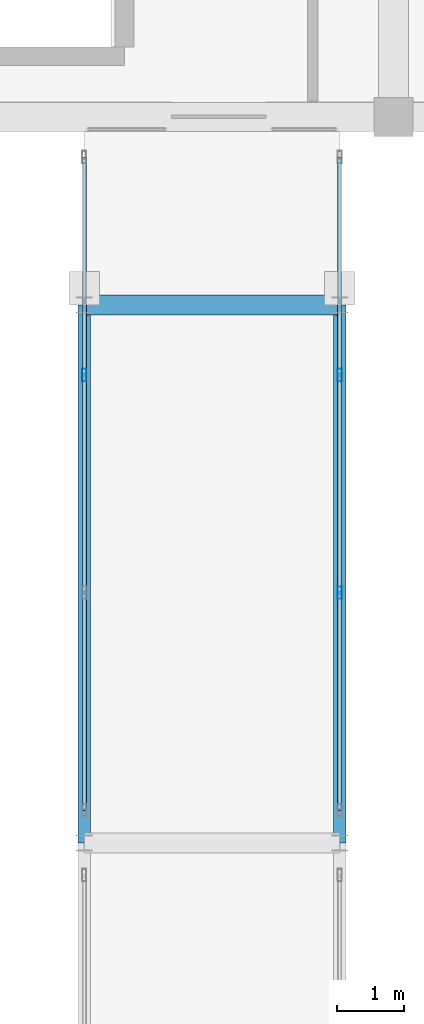
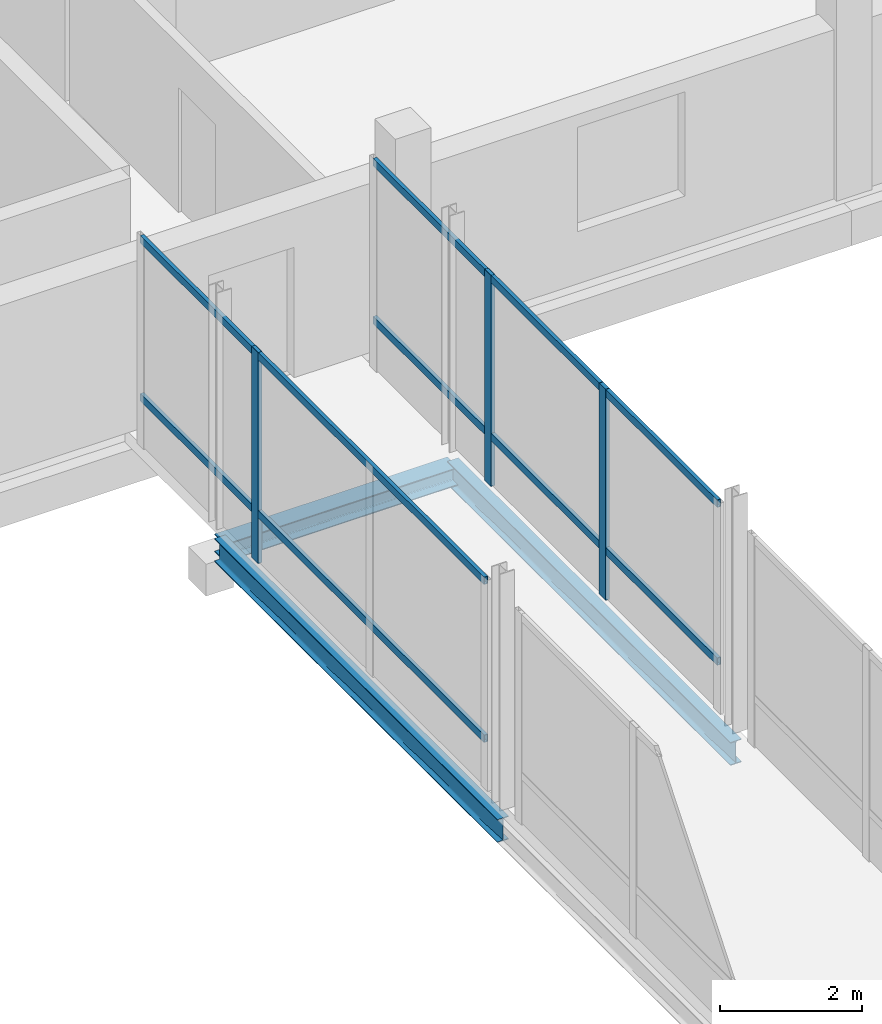
# One storey, part 58 of 128: 7 members, 3 beams, 2 elements without a shape of their own.
"""IFC4 building model written with IfcOpenShell, lengths in metres."""

from ifc_helpers import new_model, si_unit, direction, frame, origin, origin_2d, place, context, subcontext, project, spatial, hollow_rectangle, i_section, extrude, material, material_profile, profile_set, type_object, element, aggregate, save


model = new_model("IFC4")

# Units and contexts
model_context = context("Model", 3, precision=1e-05, world=origin(), true_north=direction((0.0, 1.0)))
body_context = subcontext(model_context, "Body", "Model", "MODEL_VIEW")
ifc_project = project(units=[si_unit("LENGTHUNIT", "METRE"), si_unit("AREAUNIT", "SQUARE_METRE"), si_unit("VOLUMEUNIT", "CUBIC_METRE"), si_unit("PLANEANGLEUNIT", "RADIAN"), si_unit("MASSUNIT", "GRAM", prefix="KILO")], contexts=[model_context])

# Site, building, storey
site_placement = place(None, origin())
site = spatial("IfcSite", under=ifc_project, at=site_placement, CompositionType="ELEMENT")
building_placement = place(site_placement, origin())
building = spatial("IfcBuilding", under=site, at=building_placement, Name="Zornivar Specialist Clinic", CompositionType="ELEMENT")
storey_placement = place(building_placement, frame((0.0, 0.0, 4.5)))
storey = spatial("IfcBuildingStorey", under=building, at=storey_placement, Name="L01", CompositionType="ELEMENT", Elevation=4.5)

# Beams
ifc_material_1 = material(Name="Steel S355J2", Category="steel")
ifc_material_profile_1 = material_profile(ifc_material_1, i_section(OverallWidth=0.300048828125, OverallDepth=0.31005859375, WebThickness=0.009033203125, FlangeThickness=0.015380859375, FilletRadius=0.027099609375, at=origin_2d()), Name="HEA 320")
ifc_profile_set_1 = profile_set([ifc_material_profile_1], Name="Steel S355J2")
beam_type_1 = type_object("IfcBeamType", Name="BM-STL-HEA320", PredefinedType="BEAM", material=ifc_profile_set_1)
beam_placement = place(storey_placement, frame((9.800048828125, 76.39990234375, -0.429931640625), z_axis=(1.0, 0.0, 0.0), x_axis=(0.0, 1.0, 0.0)))
element("IfcBeam", 1, at=beam_placement, inside=storey, type_object=beam_type_1, Name="bm:BR2:L01:t:764", PredefinedType="BEAM", context=body_context, shape_type="SweptSolid", body=[
    extrude(i_section(OverallWidth=0.300048828125, OverallDepth=0.31005859375, WebThickness=0.009033203125, FlangeThickness=0.015380859375, FilletRadius=0.027099609375, at=origin_2d()), origin(), (0.0, 0.0, 1.0), 3.800048828125),
])
ifc_material_2 = material(Name="Steel S355J2", Category="steel")
ifc_material_profile_2 = material_profile(ifc_material_2, i_section(OverallWidth=0.179931640625, OverallDepth=0.39990234375, WebThickness=0.008544921875, FlangeThickness=0.013427734375, FilletRadius=0.02099609375, at=origin_2d()), Name="IPE 400")
ifc_profile_set_2 = profile_set([ifc_material_profile_2], Name="Steel S355J2")
beam_type_2 = type_object("IfcBeamType", Name="BM-STL-IPE400", PredefinedType="BEAM", material=ifc_profile_set_2)
for number, where, z_axis, x_axis, name in (
    (2, (9.800048828125, 68.39990234375, -0.429931640625), (0.0, 1.0, 0.0), (-1.0, 0.0, 0.0), "bm:BR2:L01:g:98:1"),
    (3, (13.60009765625, 68.39990234375, -0.429931640625), (0.0, 1.0, 0.0), (-1.0, 0.0, 0.0), "bm:BR2:L01:g:136:1"),
):
    element("IfcBeam", number, at=place(storey_placement, frame(where, z_axis=z_axis, x_axis=x_axis)), inside=storey, type_object=beam_type_2, Name=name, PredefinedType="BEAM", context=body_context, shape_type="SweptSolid", body=[
        extrude(i_section(OverallWidth=0.179931640625, OverallDepth=0.39990234375, WebThickness=0.008544921875, FlangeThickness=0.013427734375, FilletRadius=0.02099609375, at=origin_2d()), origin(), (0.0, 0.0, 1.0), 8.0),
    ])

# Curtain wall, member
ifc_material_3 = material(Name="Aluminium and Low-E Glass Curtain Wall", Category="aluminium")
curtain_wall_type = type_object("IfcCurtainWallType", Name="CW-BRIDGE-LINK", PredefinedType="NOTDEFINED", material=ifc_material_3)
curtain_wall_1_placement = place(storey_placement, origin())
curtain_wall_1 = element("IfcCurtainWall", 4, at=curtain_wall_1_placement, inside=storey, type_object=curtain_wall_type, Name="cw:BR2:L01:W:1", PredefinedType="NOTDEFINED")
ifc_material_4 = material(Name="Aluminium AW-6060", Category="aluminium")
ifc_material_profile_3 = material_profile(ifc_material_4, hollow_rectangle(XDim=0.06494140625, YDim=0.18505859375, WallThickness=0.00439453125, at=origin_2d()), Name="ALU 65x185x4.5")
ifc_profile_set_3 = profile_set([ifc_material_profile_3], Name="Aluminium AW-6060")
member_type_1 = type_object("IfcMemberType", Name="CWM-MUL-185", PredefinedType="MULLION", material=ifc_profile_set_3)
member_1_placement = place(storey_placement, frame((9.800048828125, 75.360107421875, 0.0), z_axis=(0.0, 0.0, 1.0), x_axis=(1.0, 0.0, 0.0)))
member_1 = element("IfcMember", 5, at=member_1_placement, type_object=member_type_1, Name="cw:BR2:L01:W:1:mul:2", PredefinedType="MULLION", context=body_context, shape_type="SweptSolid", body=[
    extrude(hollow_rectangle(XDim=0.06494140625, YDim=0.18505859375, WallThickness=0.00439453125, at=origin_2d()), origin(), (0.0, 0.0, 1.0), 3.639892578125),
])

# Curtain wall, members
curtain_wall_2_placement = place(storey_placement, origin())
curtain_wall_2 = element("IfcCurtainWall", 6, at=curtain_wall_2_placement, inside=storey, type_object=curtain_wall_type, Name="cw:BR2:L01:E:1", PredefinedType="NOTDEFINED")
member_2_placement = place(storey_placement, frame((13.60009765625, 72.1201171875, 0.0), z_axis=(0.0, 0.0, 1.0), x_axis=(1.0, 0.0, 0.0)))
member_2 = element("IfcMember", 7, at=member_2_placement, type_object=member_type_1, Name="cw:BR2:L01:E:1:mul:1", PredefinedType="MULLION", context=body_context, shape_type="SweptSolid", body=[
    extrude(hollow_rectangle(XDim=0.06494140625, YDim=0.18505859375, WallThickness=0.00439453125, at=origin_2d()), origin(), (0.0, 0.0, 1.0), 3.639892578125),
])
member_3_placement = place(storey_placement, frame((13.60009765625, 75.360107421875, 0.0), z_axis=(0.0, 0.0, 1.0), x_axis=(1.0, 0.0, 0.0)))
member_3 = element("IfcMember", 8, at=member_3_placement, type_object=member_type_1, Name="cw:BR2:L01:E:1:mul:2", PredefinedType="MULLION", context=body_context, shape_type="SweptSolid", body=[
    extrude(hollow_rectangle(XDim=0.06494140625, YDim=0.18505859375, WallThickness=0.00439453125, at=origin_2d()), origin(), (0.0, 0.0, 1.0), 3.639892578125),
])

# Member
ifc_material_5 = material(Name="Aluminium AW-6060", Category="aluminium")
ifc_material_profile_4 = material_profile(ifc_material_5, hollow_rectangle(XDim=0.06005859375, YDim=0.1298828125, WallThickness=0.00390625, at=origin_2d()), Name="ALU 60x130x4")
ifc_profile_set_4 = profile_set([ifc_material_profile_4], Name="Aluminium AW-6060")
member_type_2 = type_object("IfcMemberType", Name="CWM-TRN-130", PredefinedType="USERDEFINED", material=ifc_profile_set_4)
member_4_placement = place(storey_placement, frame((9.800048828125, 68.8798828125, 0.85009765625), z_axis=(0.0, 1.0, 0.0), x_axis=(-1.0, 0.0, 0.0)))
member_4 = element("IfcMember", 9, at=member_4_placement, type_object=member_type_2, Name="cw:BR2:L01:W:1:trn:0", ObjectType="TRANSOM", PredefinedType="USERDEFINED", context=body_context, shape_type="SweptSolid", body=[
    extrude(hollow_rectangle(XDim=0.06005859375, YDim=0.1298828125, WallThickness=0.00390625, at=origin_2d()), origin(), (0.0, 0.0, 1.0), 9.72021484375),
])

member_5_placement = place(storey_placement, frame((9.800048828125, 68.8798828125, 3.574951171875), z_axis=(0.0, 1.0, 0.0), x_axis=(-1.0, 0.0, 0.0)))
member_5 = element("IfcMember", 10, at=member_5_placement, type_object=member_type_2, Name="cw:BR2:L01:W:1:trn:1", ObjectType="TRANSOM", PredefinedType="USERDEFINED", context=body_context, shape_type="SweptSolid", body=[
    extrude(hollow_rectangle(XDim=0.06005859375, YDim=0.1298828125, WallThickness=0.00390625, at=origin_2d()), origin(), (0.0, 0.0, 1.0), 9.72021484375),
])

aggregate(curtain_wall_1, [member_1, member_4, member_5])

member_6_placement = place(storey_placement, frame((13.60009765625, 68.8798828125, 0.85009765625), z_axis=(0.0, 1.0, 0.0), x_axis=(-1.0, 0.0, 0.0)))
member_6 = element("IfcMember", 11, at=member_6_placement, type_object=member_type_2, Name="cw:BR2:L01:E:1:trn:0", ObjectType="TRANSOM", PredefinedType="USERDEFINED", context=body_context, shape_type="SweptSolid", body=[
    extrude(hollow_rectangle(XDim=0.06005859375, YDim=0.1298828125, WallThickness=0.00390625, at=origin_2d()), origin(), (0.0, 0.0, 1.0), 9.72021484375),
])

member_7_placement = place(storey_placement, frame((13.60009765625, 68.8798828125, 3.574951171875), z_axis=(0.0, 1.0, 0.0), x_axis=(-1.0, 0.0, 0.0)))
member_7 = element("IfcMember", 12, at=member_7_placement, type_object=member_type_2, Name="cw:BR2:L01:E:1:trn:1", ObjectType="TRANSOM", PredefinedType="USERDEFINED", context=body_context, shape_type="SweptSolid", body=[
    extrude(hollow_rectangle(XDim=0.06005859375, YDim=0.1298828125, WallThickness=0.00390625, at=origin_2d()), origin(), (0.0, 0.0, 1.0), 9.72021484375),
])

aggregate(curtain_wall_2, [member_2, member_3, member_6, member_7])

save(model, "model.ifc")
